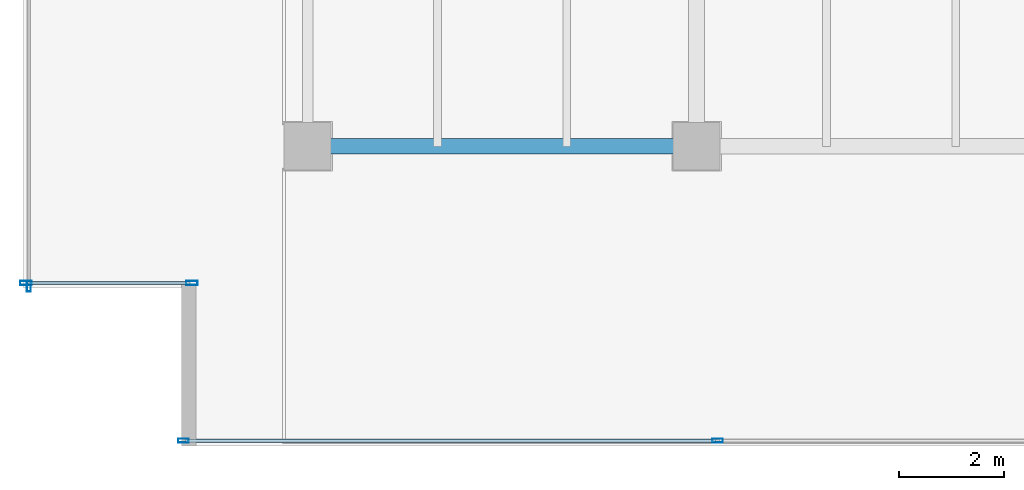
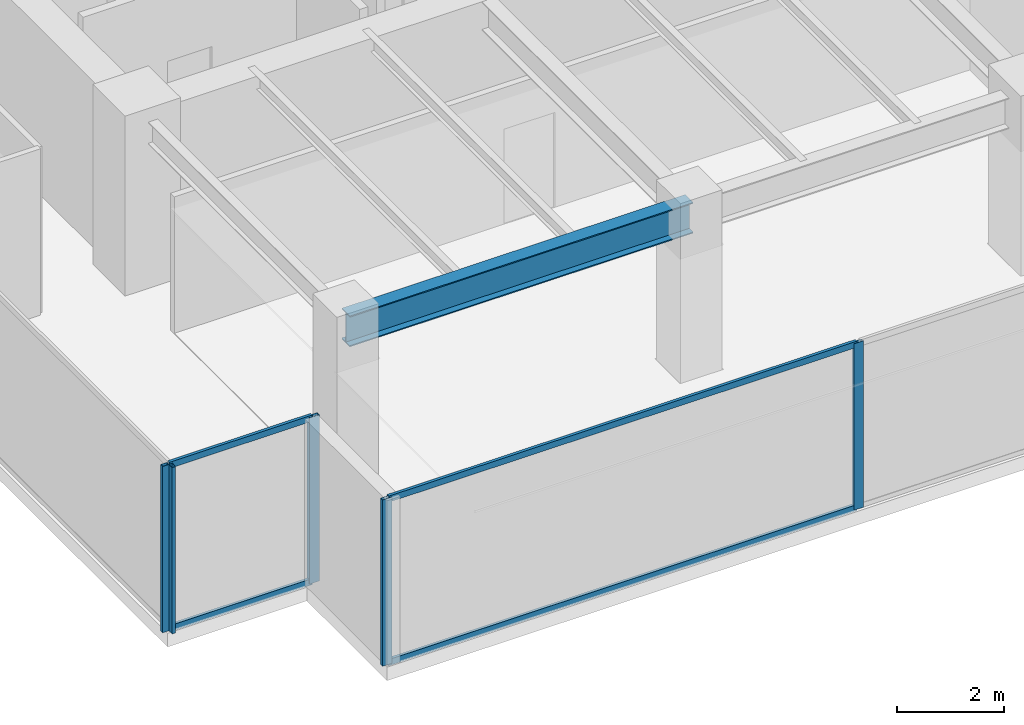
# One storey, part 2 of 33: 9 members, 1 beam, 3 elements without a shape of their own.
"""IFC4 building model written with IfcOpenShell, lengths in metres."""

from ifc_helpers import new_model, si_unit, direction, frame, origin, origin_2d, place, context, subcontext, project, spatial, hollow_rectangle, i_section, extrude, source, transform, mapped, material, layer, layer_set, material_profile, profile_set, type_object, type_shapes, element, aggregate, save


model = new_model("IFC4")

# Units and contexts
model_context = context("Model", 3, precision=1e-05, world=origin(), true_north=direction((0.0, 1.0)))
body_context = subcontext(model_context, "Body", "Model", "MODEL_VIEW")
ifc_project = project(units=[si_unit("LENGTHUNIT", "METRE"), si_unit("AREAUNIT", "SQUARE_METRE"), si_unit("VOLUMEUNIT", "CUBIC_METRE"), si_unit("PLANEANGLEUNIT", "RADIAN"), si_unit("MASSUNIT", "GRAM", prefix="KILO")], contexts=[model_context])

# Site, building, storey
site_placement = place(None, origin())
site = spatial("IfcSite", under=ifc_project, at=site_placement, CompositionType="ELEMENT")
building_placement = place(site_placement, origin())
building = spatial("IfcBuilding", under=site, at=building_placement, Name="Haelvirn Gate Laboratories", CompositionType="ELEMENT")
storey_placement = place(building_placement, frame((0.0, 0.0, 137.89990234375)))
storey = spatial("IfcBuildingStorey", under=building, at=storey_placement, Name="L33", CompositionType="ELEMENT", Elevation=137.89990234375)

# Beam
ifc_material_1 = material(Name="Steel SM355", Category="steel")
ifc_material_profile_1 = material_profile(ifc_material_1, i_section(OverallWidth=0.300048828125, OverallDepth=0.699951171875, WebThickness=0.012939453125, FlangeThickness=0.02392578125, at=origin_2d()), Name="H-700x300x13x24")
ifc_profile_set_1 = profile_set([ifc_material_profile_1], Name="Steel SM355")
beam_type = type_object("IfcBeamType", Name="BM-G-700", PredefinedType="BEAM", material=ifc_profile_set_1)
shared_shape_1 = source(origin(), body_context, "Body", "SweptSolid", [
    extrude(i_section(OverallWidth=0.300048828125, OverallDepth=0.699951171875, WebThickness=0.012939453125, FlangeThickness=0.02392578125, at=origin_2d()), origin(), (0.0, 0.0, 1.0), 7.400146484375),
])
type_shapes(beam_type, [shared_shape_1])
beam_placement = place(storey_placement, frame((7.39990234375, 7.0, 3.440185546875), z_axis=(1.0, 0.0, 0.0), x_axis=(0.0, 1.0, 0.0)))
element("IfcBeam", 1, at=beam_placement, inside=storey, type_object=beam_type, Name="L33 Primary Girder Y7.0 (7.4-14.8)", PredefinedType="BEAM", context=body_context, shape_type="MappedRepresentation", body=[
    mapped(shared_shape_1, transform((0.0, 0.0, 0.0), scale=1.0)),
])

# Curtain wall, members
ifc_material_2 = material(Name="Anodised bronze unitised aluminium & triple low-E glass", Category="aluminium")
ifc_layer_1 = layer(ifc_material_2, 0.179931640625, Name="CW-SYS-3")
ifc_layer_set_1 = layer_set([ifc_layer_1], Name="Anodised bronze unitised aluminium & triple low-E glass")
curtain_wall_type_1 = type_object("IfcCurtainWallType", Name="CW-SYS-3", PredefinedType="NOTDEFINED", material=ifc_layer_set_1)
curtain_wall_1_placement = place(storey_placement, origin())
curtain_wall_1 = element("IfcCurtainWall", 2, at=curtain_wall_1_placement, inside=storey, type_object=curtain_wall_type_1, Name="L33 Unitised Curtain Wall CW-L33-P0-E00-1", PredefinedType="NOTDEFINED")
ifc_material_3 = material(Name="Extruded aluminium 6063-T6 (anodised bronze)", Category="aluminium")
ifc_material_profile_2 = material_profile(ifc_material_3, hollow_rectangle(XDim=0.06494140625, YDim=0.139892578125, WallThickness=0.00390625, at=origin_2d()), Name="CWT-140x65x4")
ifc_profile_set_2 = profile_set([ifc_material_profile_2], Name="Extruded aluminium 6063-T6 (anodised bronze)")
member_type_1 = type_object("IfcMemberType", Name="CWT-T140", PredefinedType="USERDEFINED", material=ifc_profile_set_2)
shared_shape_2 = source(origin(), body_context, "Body", "SweptSolid", [
    extrude(hollow_rectangle(XDim=0.06494140625, YDim=0.139892578125, WallThickness=0.00390625, at=origin_2d()), origin(), (0.0, 0.0, 1.0), 10.087646484375),
])
member_1_placement = place(storey_placement, frame((5.074951171875, 1.39990234375, 0.03271484375), z_axis=(1.0, 0.0, 0.0), x_axis=(0.0, 1.0, 0.0)))
member_1 = element("IfcMember", 3, at=member_1_placement, type_object=member_type_1, Name="CW3 transom 1.1", ObjectType="TRANSOM", PredefinedType="USERDEFINED", context=body_context, shape_type="MappedRepresentation", body=[
    mapped(shared_shape_2, transform((0.0, 0.0, 0.0), scale=1.0)),
])
member_2_placement = place(storey_placement, frame((5.074951171875, 1.39990234375, 3.757568359375), z_axis=(1.0, 0.0, 0.0), x_axis=(0.0, 1.0, 0.0)))
member_2 = element("IfcMember", 4, at=member_2_placement, type_object=member_type_1, Name="CW3 transom 1.2", ObjectType="TRANSOM", PredefinedType="USERDEFINED", context=body_context, shape_type="MappedRepresentation", body=[
    mapped(shared_shape_2, transform((0.0, 0.0, 0.0), scale=1.0)),
])

ifc_layer_2 = layer(ifc_material_2, 0.181884765625, Name="CW-SYS-5")
ifc_layer_set_2 = layer_set([ifc_layer_2], Name="Anodised bronze unitised aluminium & triple low-E glass")
curtain_wall_type_2 = type_object("IfcCurtainWallType", Name="CW-SYS-5", PredefinedType="NOTDEFINED", material=ifc_layer_set_2)
curtain_wall_2_placement = place(storey_placement, origin())
curtain_wall_2 = element("IfcCurtainWall", 5, at=curtain_wall_2_placement, inside=storey, type_object=curtain_wall_type_2, Name="L33 Unitised Curtain Wall CW-L33-P0-E18-1", PredefinedType="NOTDEFINED")
shared_shape_3 = source(origin(), body_context, "Body", "SweptSolid", [
    extrude(hollow_rectangle(XDim=0.06494140625, YDim=0.139892578125, WallThickness=0.00390625, at=origin_2d()), origin(), (0.0, 0.0, 1.0), 3.079833984375),
])
type_shapes(member_type_1, [shared_shape_2, shared_shape_3])
member_3_placement = place(storey_placement, frame((2.080078125, 4.39990234375, 0.03271484375), z_axis=(1.0, 0.0, 0.0), x_axis=(0.0, 1.0, 0.0)))
member_3 = element("IfcMember", 6, at=member_3_placement, type_object=member_type_1, Name="CW5 transom 1.1", ObjectType="TRANSOM", PredefinedType="USERDEFINED", context=body_context, shape_type="MappedRepresentation", body=[
    mapped(shared_shape_3, transform((0.0, 0.0, 0.0), scale=1.0)),
])
member_4_placement = place(storey_placement, frame((2.080078125, 4.39990234375, 3.757568359375), z_axis=(1.0, 0.0, 0.0), x_axis=(0.0, 1.0, 0.0)))
member_4 = element("IfcMember", 7, at=member_4_placement, type_object=member_type_1, Name="CW5 transom 1.2", ObjectType="TRANSOM", PredefinedType="USERDEFINED", context=body_context, shape_type="MappedRepresentation", body=[
    mapped(shared_shape_3, transform((0.0, 0.0, 0.0), scale=1.0)),
])

# Member
ifc_material_profile_3 = material_profile(ifc_material_3, hollow_rectangle(XDim=0.074951171875, YDim=0.199951171875, WallThickness=0.0048828125, at=origin_2d()), Name="CWM-200x75x5")
ifc_profile_set_3 = profile_set([ifc_material_profile_3], Name="Extruded aluminium 6063-T6 (anodised bronze)")
member_type_2 = type_object("IfcMemberType", Name="CWM-T200", PredefinedType="MULLION", material=ifc_profile_set_3)
shared_shape_4 = source(origin(), body_context, "Body", "SweptSolid", [
    extrude(hollow_rectangle(XDim=0.074951171875, YDim=0.199951171875, WallThickness=0.0048828125, at=origin_2d()), origin(), (0.0, 0.0, 1.0), 3.7900390625),
])
type_shapes(member_type_2, [shared_shape_4])
member_5_placement = place(storey_placement, frame((5.03759765625, 1.39990234375, 0.0), z_axis=(0.0, 0.0, 1.0), x_axis=(0.0, 1.0, 0.0)))
member_5 = element("IfcMember", 8, at=member_5_placement, type_object=member_type_2, Name="CW3 mullion 1", PredefinedType="MULLION", context=body_context, shape_type="MappedRepresentation", body=[
    mapped(shared_shape_4, transform((0.0, 0.0, 0.0), scale=1.0)),
])

member_6_placement = place(storey_placement, frame((15.199951171875, 1.39990234375, 0.0), z_axis=(0.0, 0.0, 1.0), x_axis=(0.0, 1.0, 0.0)))
member_6 = element("IfcMember", 9, at=member_6_placement, type_object=member_type_2, Name="CW3 mullion 2", PredefinedType="MULLION", context=body_context, shape_type="MappedRepresentation", body=[
    mapped(shared_shape_4, transform((0.0, 0.0, 0.0), scale=1.0)),
])

aggregate(curtain_wall_1, [member_5, member_6, member_1, member_2])

# Curtain wall, member
curtain_wall_3_placement = place(storey_placement, origin())
curtain_wall_3 = element("IfcCurtainWall", 10, at=curtain_wall_3_placement, inside=storey, type_object=curtain_wall_type_1, Name="L33 Unitised Curtain Wall CW-L33-P0-E17", PredefinedType="NOTDEFINED")
member_7_placement = place(storey_placement, frame((2.10009765625, 4.33740234375, 0.0), z_axis=(0.0, 0.0, 1.0), x_axis=(1.0, 0.0, 0.0)))
member_7 = element("IfcMember", 11, at=member_7_placement, type_object=member_type_2, Name="CW3 mullion 4", PredefinedType="MULLION", context=body_context, shape_type="MappedRepresentation", body=[
    mapped(shared_shape_4, transform((0.0, 0.0, 0.0), scale=1.0)),
])
aggregate(curtain_wall_3, [member_7])

# Member
ifc_material_profile_4 = material_profile(ifc_material_3, hollow_rectangle(XDim=0.080078125, YDim=0.219970703125, WallThickness=0.006103515625, at=origin_2d()), Name="CWM-220x80x6")
ifc_profile_set_4 = profile_set([ifc_material_profile_4], Name="Extruded aluminium 6063-T6 (anodised bronze)")
member_type_3 = type_object("IfcMemberType", Name="CWM-T220", PredefinedType="MULLION", material=ifc_profile_set_4)
shared_shape_5 = source(origin(), body_context, "Body", "SweptSolid", [
    extrude(hollow_rectangle(XDim=0.080078125, YDim=0.219970703125, WallThickness=0.006103515625, at=origin_2d()), origin(), (0.0, 0.0, 1.0), 3.7900390625),
])
type_shapes(member_type_3, [shared_shape_5])
member_8_placement = place(storey_placement, frame((2.0400390625, 4.39990234375, 0.0), z_axis=(0.0, 0.0, 1.0), x_axis=(0.0, 1.0, 0.0)))
member_8 = element("IfcMember", 12, at=member_8_placement, type_object=member_type_3, Name="CW5 mullion 1", PredefinedType="MULLION", context=body_context, shape_type="MappedRepresentation", body=[
    mapped(shared_shape_5, transform((0.0, 0.0, 0.0), scale=1.0)),
])

member_9_placement = place(storey_placement, frame((5.199951171875, 4.39990234375, 0.0), z_axis=(0.0, 0.0, 1.0), x_axis=(0.0, 1.0, 0.0)))
member_9 = element("IfcMember", 13, at=member_9_placement, type_object=member_type_3, Name="CW5 mullion 2", PredefinedType="MULLION", context=body_context, shape_type="MappedRepresentation", body=[
    mapped(shared_shape_5, transform((0.0, 0.0, 0.0), scale=1.0)),
])

aggregate(curtain_wall_2, [member_8, member_9, member_3, member_4])

save(model, "model.ifc")
